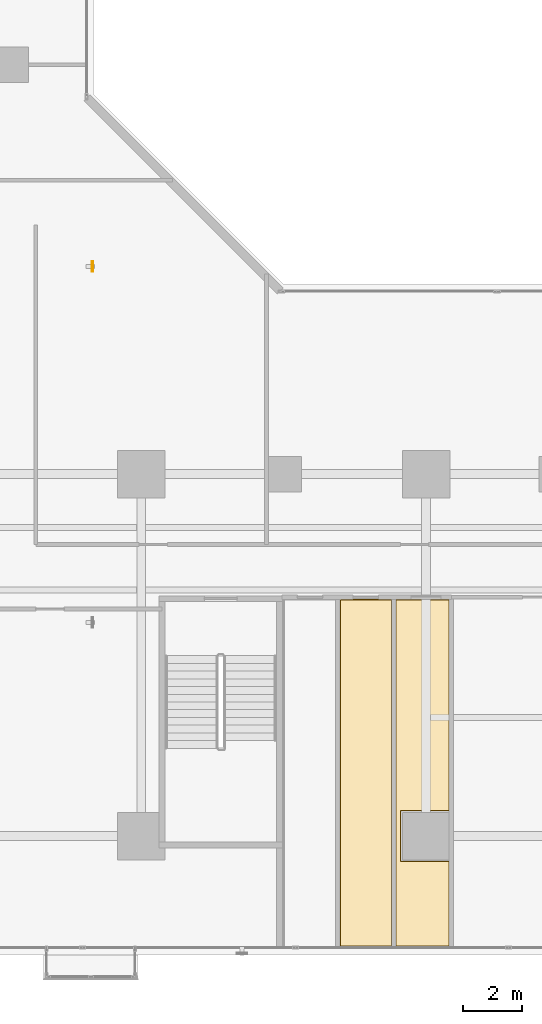
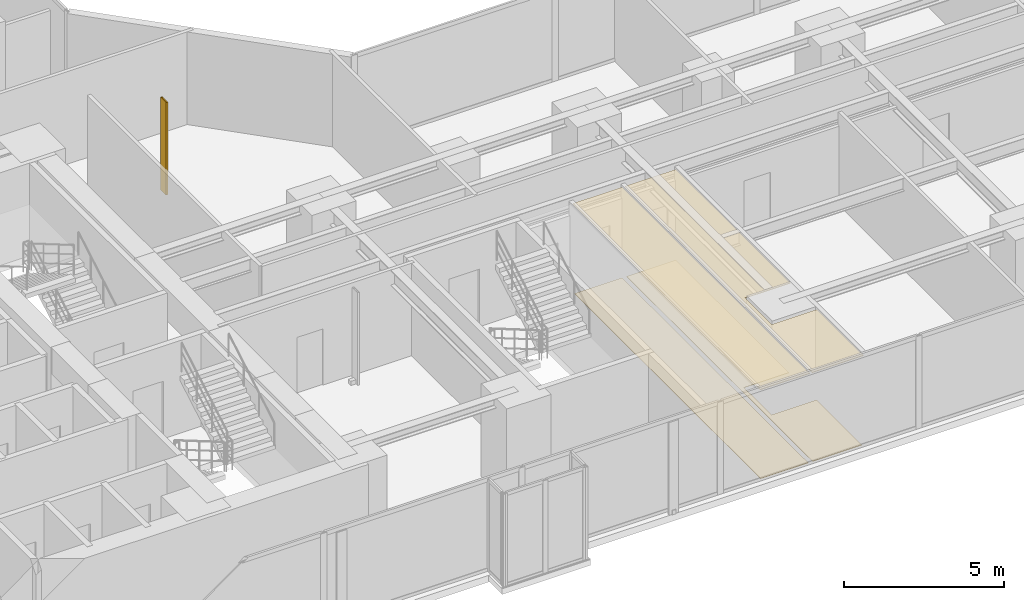
# One storey, part 27 of 28: 4 coverings, 1 shading device.
"""IFC4 building model written with IfcOpenShell, lengths in metres."""

from ifc_helpers import new_model, si_unit, direction, frame, origin, origin_2d, place, context, subcontext, project, spatial, polyline, hollow_rectangle, outline, extrude, material, layer, layer_set, material_profile, profile_set, type_object, element, save


model = new_model("IFC4")

# Units and contexts
model_context = context("Model", 3, precision=1e-05, world=origin(), true_north=direction((0.0, 1.0)))
body_context = subcontext(model_context, "Body", "Model", "MODEL_VIEW")
ifc_project = project(units=[si_unit("LENGTHUNIT", "METRE"), si_unit("AREAUNIT", "SQUARE_METRE"), si_unit("VOLUMEUNIT", "CUBIC_METRE"), si_unit("PLANEANGLEUNIT", "RADIAN"), si_unit("MASSUNIT", "GRAM", prefix="KILO")], contexts=[model_context])

# Site, building, storey
site_placement = place(None, origin())
site = spatial("IfcSite", under=ifc_project, at=site_placement, CompositionType="ELEMENT")
building_placement = place(site_placement, origin())
building = spatial("IfcBuilding", under=site, at=building_placement, Name="Kolvaren Waterfront Exchange", CompositionType="ELEMENT")
storey_placement = place(building_placement, frame((0.0, 0.0, 75.199951171875)))
storey = spatial("IfcBuildingStorey", under=building, at=storey_placement, Name="L19", CompositionType="ELEMENT", Elevation=75.199951171875)

# Coverings
ifc_material_1 = material(Name="Mineral fibre acoustic ceiling tile")
ifc_layer_1 = layer(ifc_material_1, 0.02490234375, Name="Mineral fibre acoustic ceiling tile")
ifc_layer_set_1 = layer_set([ifc_layer_1], Name="Mineral fibre acoustic ceiling tile")
covering_type_1 = type_object("IfcCoveringType", Name="ARC-CEIL-ACOUSTIC-25", PredefinedType="CEILING", material=ifc_layer_set_1)
covering_1_placement = place(storey_placement, frame((0.0, 0.0, 3.425048828125)))
element("IfcCovering", 1, at=covering_1_placement, inside=storey, type_object=covering_type_1, Name="L19 acoustic suspended ceiling 2", PredefinedType="CEILING", context=body_context, shape_type="SweptSolid", body=[
    extrude(outline(polyline([(35.6650390625, 1.465087890625), (35.6650390625, 13.195068359375), (33.875, 13.195068359375), (33.875, 1.465087890625), (35.6650390625, 1.465087890625)])), origin(), (0.0, 0.0, 1.0), 0.02490234375),
])
covering_2_placement = place(storey_placement, frame((0.0, 0.0, 3.425048828125)))
element("IfcCovering", 2, at=covering_2_placement, inside=storey, type_object=covering_type_1, Name="L19 acoustic suspended ceiling 3", PredefinedType="CEILING", context=body_context, shape_type="SweptSolid", body=[
    extrude(outline(polyline([(37.60498046875, 4.360107421875), (35.9599609375, 4.360107421875), (35.9599609375, 6.0400390625), (37.60498046875, 6.0400390625), (37.60498046875, 13.195068359375), (35.7548828125, 13.195068359375), (35.7548828125, 1.465087890625), (37.60498046875, 1.465087890625), (37.60498046875, 4.360107421875)])), origin(), (0.0, 0.0, 1.0), 0.02490234375),
])

# Shading device
ifc_material_2 = material(Name="Anodised bronze aluminium 6063-T6", Category="aluminium")
ifc_material_profile = material_profile(ifc_material_2, hollow_rectangle(XDim=0.06005859375, YDim=0.35009765625, WallThickness=0.0048828125, at=origin_2d()), Name="BRZ-FIN-350x60x5")
ifc_profile_set = profile_set([ifc_material_profile], Name="Anodised bronze aluminium 6063-T6")
shading_device_type = type_object("IfcShadingDeviceType", Name="ARC-FIN-350", PredefinedType="USERDEFINED", material=ifc_profile_set)
shading_device_placement = place(storey_placement, frame((25.56005859375, 24.39990234375, 0.0), z_axis=(0.0, 0.0, 1.0), x_axis=(1.0, 0.0, 0.0)))
element("IfcShadingDevice", 3, at=shading_device_placement, inside=storey, type_object=shading_device_type, Name="L19 anodised bronze solar shading fin FIN-L19-E2", ObjectType="SOLAR FIN", PredefinedType="USERDEFINED", context=body_context, shape_type="SweptSolid", body=[
    extrude(hollow_rectangle(XDim=0.06005859375, YDim=0.35009765625, WallThickness=0.0048828125, at=origin_2d()), origin(), (0.0, 0.0, 1.0), 3.5400390625),
])

# Coverings
ifc_material_3 = material(Name="Slip-resistant porcelain tile")
ifc_layer_2 = layer(ifc_material_3, 0.014892578125, Name="Slip-resistant porcelain tile")
ifc_layer_set_2 = layer_set([ifc_layer_2], Name="Slip-resistant porcelain tile")
covering_type_2 = type_object("IfcCoveringType", Name="ARC-FLR-PORC-15", PredefinedType="FLOORING", material=ifc_layer_set_2)
covering_3_placement = place(storey_placement, origin())
element("IfcCovering", 4, at=covering_3_placement, inside=storey, type_object=covering_type_2, Name="L19 floor finish 2", PredefinedType="FLOORING", context=body_context, shape_type="SweptSolid", body=[
    extrude(outline(polyline([(33.909912109375, 13.159912109375), (33.909912109375, 1.5), (35.6298828125, 1.5), (35.6298828125, 13.159912109375), (33.909912109375, 13.159912109375)])), origin(), (0.0, 0.0, 1.0), 0.01513671875),
])
covering_4_placement = place(storey_placement, origin())
element("IfcCovering", 5, at=covering_4_placement, inside=storey, type_object=covering_type_2, Name="L19 floor finish 3", PredefinedType="FLOORING", context=body_context, shape_type="SweptSolid", body=[
    extrude(outline(polyline([(35.7900390625, 13.159912109375), (35.7900390625, 1.5), (37.570068359375, 1.5), (37.570068359375, 4.340087890625), (35.93994140625, 4.340087890625), (35.93994140625, 6.06005859375), (37.570068359375, 6.06005859375), (37.570068359375, 13.159912109375), (35.7900390625, 13.159912109375)])), origin(), (0.0, 0.0, 1.0), 0.01513671875),
])

save(model, "model.ifc")
